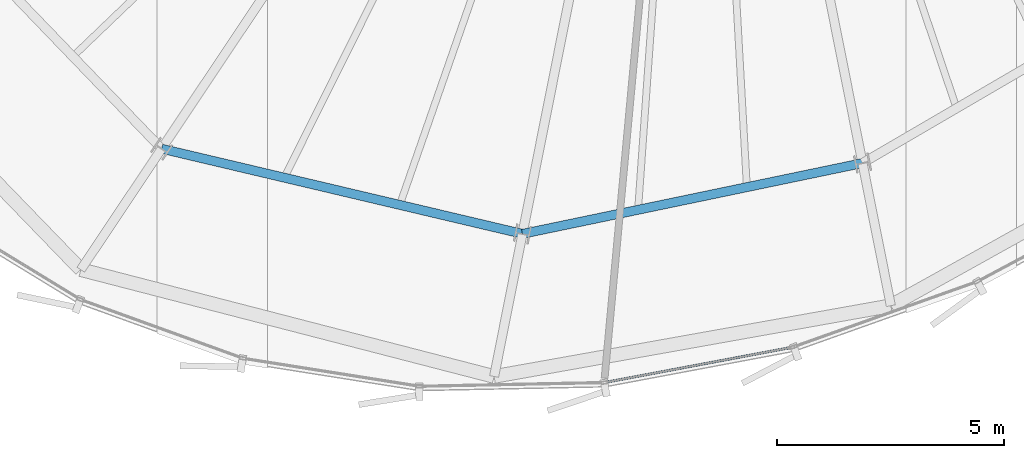
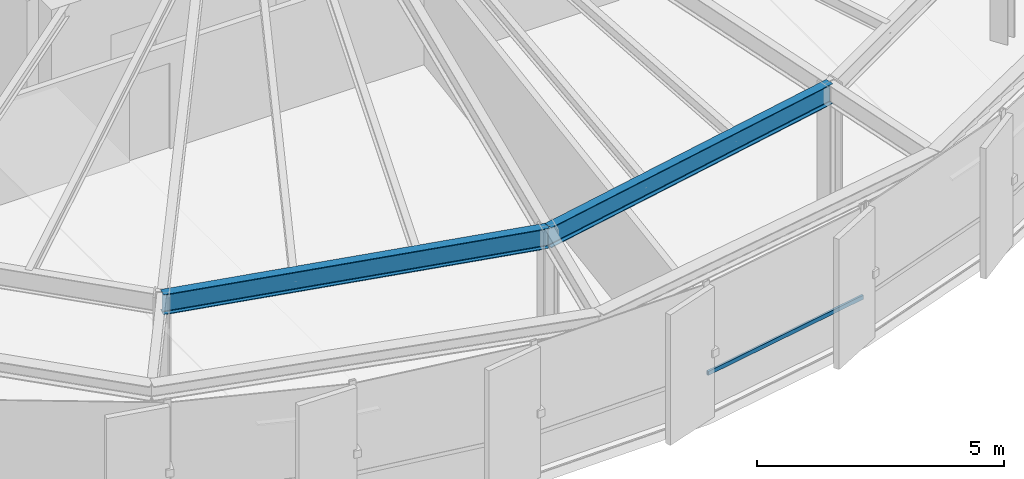
# One storey, part 7 of 36: 2 beams, 1 member, 1 element without a shape of its own.
"""IFC4 building model written with IfcOpenShell, lengths in metres."""

from ifc_helpers import new_model, si_unit, direction, frame, origin, origin_2d, place, context, subcontext, project, spatial, hollow_rectangle, i_section, extrude, source, transform, mapped, material, layer, layer_set, material_profile, profile_set, type_object, element, aggregate, save


model = new_model("IFC4")

# Units and contexts
model_context = context("Model", 3, precision=1e-05, world=origin(), true_north=direction((0.0, 1.0)))
body_context = subcontext(model_context, "Body", "Model", "MODEL_VIEW")
ifc_project = project(units=[si_unit("LENGTHUNIT", "METRE"), si_unit("AREAUNIT", "SQUARE_METRE"), si_unit("VOLUMEUNIT", "CUBIC_METRE"), si_unit("PLANEANGLEUNIT", "RADIAN"), si_unit("MASSUNIT", "GRAM", prefix="KILO"), si_unit("THERMODYNAMICTEMPERATUREUNIT", "KELVIN")], contexts=[model_context])

# Site, building, storey
site_placement = place(None, origin())
site = spatial("IfcSite", under=ifc_project, at=site_placement, CompositionType="ELEMENT")
building_placement = place(site_placement, origin())
building = spatial("IfcBuilding", under=site, at=building_placement, Name="Kethvar Cultural Tower", CompositionType="ELEMENT")
storey_placement = place(building_placement, frame((0.0, 0.0, 197.39990234375)))
storey = spatial("IfcBuildingStorey", under=building, at=storey_placement, Name="L51", CompositionType="ELEMENT", Elevation=197.39990234375)

# Beams
ifc_material_1 = material(Name="Steel S355J2", Category="steel")
ifc_material_profile_1 = material_profile(ifc_material_1, i_section(OverallWidth=0.199951171875, OverallDepth=0.5, WebThickness=0.01025390625, FlangeThickness=0.01611328125, FilletRadius=0.02099609375, at=origin_2d()), Name="Steel S355J2 — IPE500")
ifc_profile_set_1 = profile_set([ifc_material_profile_1], Name="Steel S355J2 — IPE500")
beam_type = type_object("IfcBeamType", Name="BM-IPE500", PredefinedType="BEAM", material=ifc_profile_set_1)
shared_shape_1 = source(origin(), body_context, "Body", "SweptSolid", [
    extrude(i_section(OverallWidth=0.199951171875, OverallDepth=0.5, WebThickness=0.01025390625, FlangeThickness=0.01611328125, FilletRadius=0.02099609375, at=origin_2d()), origin(), (0.0, 0.0, 1.0), 8.158935546875),
])
beam_1_placement = place(storey_placement, frame((34.962646484375, 10.084228515625, 3.008056640625), z_axis=(0.973284754953, -0.229601362748, 0.0), x_axis=(0.229601362748, 0.973284754953, 0.0)))
element("IfcBeam", 1, at=beam_1_placement, inside=storey, type_object=beam_type, Name="L51 Column Ring Tie Beam CR-11", PredefinedType="BEAM", context=body_context, shape_type="MappedRepresentation", body=[
    mapped(shared_shape_1, transform((0.0, 0.0, 0.0), scale=1.0)),
])
shared_shape_2 = source(origin(), body_context, "Body", "SweptSolid", [
    extrude(i_section(OverallWidth=0.199951171875, OverallDepth=0.5, WebThickness=0.01025390625, FlangeThickness=0.01611328125, FilletRadius=0.02099609375, at=origin_2d()), origin(), (0.0, 0.0, 1.0), 7.6435546875),
])
beam_2_placement = place(storey_placement, frame((42.903564453125, 8.2109375, 3.008056640625), z_axis=(0.979016278161, 0.203782057834, 0.0), x_axis=(-0.203782057834, 0.979016278161, 0.0)))
element("IfcBeam", 2, at=beam_2_placement, inside=storey, type_object=beam_type, Name="L51 Column Ring Tie Beam CR-12", PredefinedType="BEAM", context=body_context, shape_type="MappedRepresentation", body=[
    mapped(shared_shape_2, transform((0.0, 0.0, 0.0), scale=1.0)),
])

# Curtain wall, member
ifc_material_2 = material(Name="Aluminium 6063-T6", Category="aluminium")
ifc_layer = layer(ifc_material_2, 0.179931640625, Name="Aluminium 6063-T6", Category="aluminium")
ifc_layer_set = layer_set([ifc_layer], Name="Aluminium 6063-T6 (180 mm)")
curtain_wall_type = type_object("IfcCurtainWallType", Name="CW-SYS-04-Z34", PredefinedType="NOTDEFINED", material=ifc_layer_set)
curtain_wall_placement = place(storey_placement, origin())
curtain_wall = element("IfcCurtainWall", 3, at=curtain_wall_placement, inside=storey, type_object=curtain_wall_type, Name="L51 Curtain Wall Run 04", PredefinedType="NOTDEFINED")
ifc_material_profile_2 = material_profile(ifc_material_2, hollow_rectangle(XDim=0.050048828125, YDim=0.10009765625, WallThickness=0.00390625, at=origin_2d()), Name="Aluminium 6063-T6 — RHS100x50x4")
ifc_profile_set_2 = profile_set([ifc_material_profile_2], Name="Aluminium 6063-T6 — RHS100x50x4")
member_type = type_object("IfcMemberType", Name="CW-SYS-04-Z34-TRN", PredefinedType="USERDEFINED", material=ifc_profile_set_2)
shared_shape_3 = source(origin(), body_context, "Body", "SweptSolid", [
    extrude(hollow_rectangle(XDim=0.050048828125, YDim=0.10009765625, WallThickness=0.00390625, at=origin_2d()), origin(), (0.0, 0.0, 1.0), 4.13916015625),
])
member_placement = place(storey_placement, frame((44.744873046875, 4.94580078125, 0.9501953125), z_axis=(0.982787949132, 0.184737237828, 0.0), x_axis=(-0.184737237828, 0.982787949132, 0.0)))
member = element("IfcMember", 4, at=member_placement, type_object=member_type, Name="CW-L51-R04 Transom 6", ObjectType="TRANSOM", PredefinedType="USERDEFINED", context=body_context, shape_type="MappedRepresentation", body=[
    mapped(shared_shape_3, transform((0.0, 0.0, 0.0), scale=1.0)),
])
aggregate(curtain_wall, [member])

save(model, "model.ifc")
